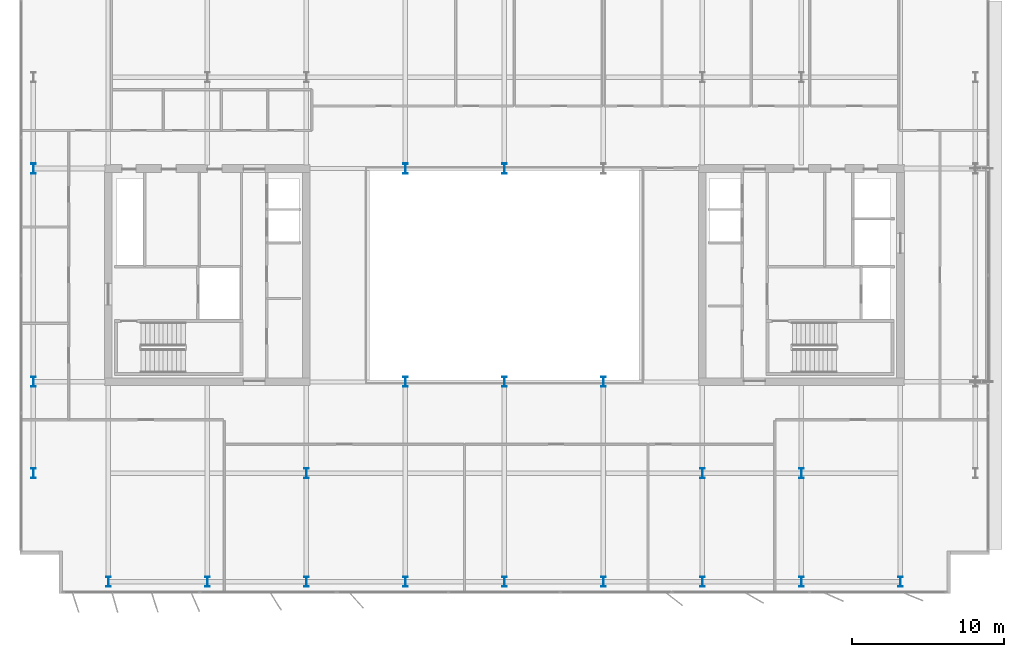
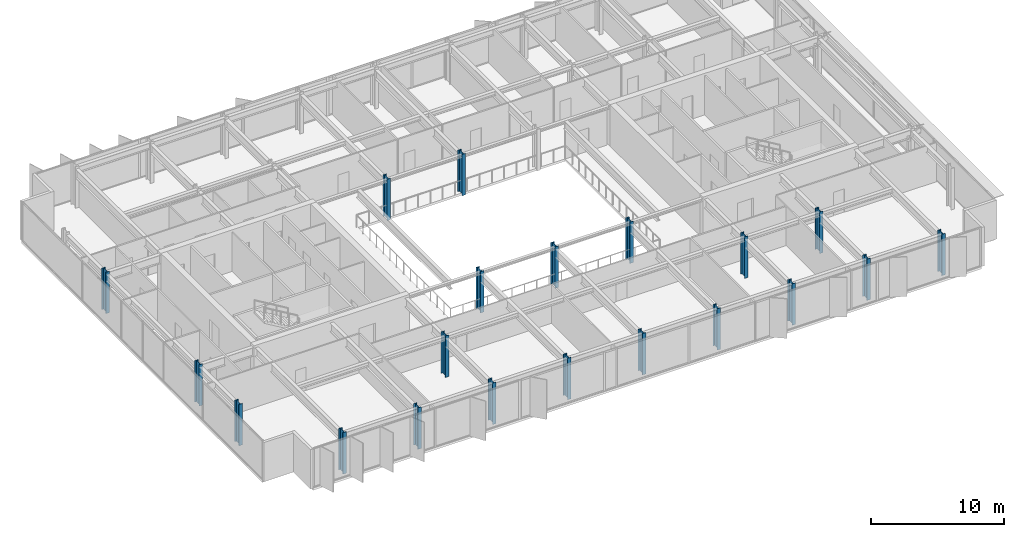
# One storey, part 1 of 19: 20 columns.
"""IFC4 building model written with IfcOpenShell, lengths in metres."""

import ifcopenshell
import ifcopenshell.guid

model = None  # the IFC model being written
_history = None  # IfcOwnerHistory: only IFC2X3 demands one
_inside = {}  # id of a spatial element -> (the spatial element, [elements in it])
_under = {}  # id of a project, library or spatial element -> (it, [spatial elements below it])
_declared = {}  # id of a project -> (the project, [libraries it declares])
_typed = {}  # id of a type object -> (the type object, [elements of that type])
_made_of = {}  # id of a material, layer set ... -> (it, [elements and type objects made of it])


def new_model(schema):
    """Start an empty IFC model of exactly this schema.

    Asked for "IFC4X3", IfcOpenShell would pick the latest addendum, in which some entities
    have other attributes; the version numbers below select the first issue.
    IFC2X3 requires an IfcOwnerHistory on every rooted entity: one is made here for all.
    """
    global model, _history
    if schema == "IFC4X3":
        model = ifcopenshell.file(schema_version=(4, 3, 0, 0))
    else:
        model = ifcopenshell.file(schema=schema)
    _inside.clear()
    _under.clear()
    _declared.clear()
    _typed.clear()
    _made_of.clear()
    _history = None
    if model.schema == "IFC2X3":
        org = make("IfcOrganization", Name="unknown")
        user = make(
            "IfcPersonAndOrganization",
            ThePerson=make("IfcPerson", FamilyName="unknown"),
            TheOrganization=org,
        )
        app = make(
            "IfcApplication",
            ApplicationDeveloper=org,
            Version="unknown",
            ApplicationFullName="unknown",
            ApplicationIdentifier="unknown",
        )
        _history = make(
            "IfcOwnerHistory",
            OwningUser=user,
            OwningApplication=app,
            ChangeAction="ADDED",
            CreationDate=0,
        )
    return model


def make(cls, **values):
    """One entity of the class cls with the attributes given. An attribute that is None is left unset."""
    return model.create_entity(
        cls, **{name: value for name, value in values.items() if value is not None}
    )


def rooted(cls, **values):
    """An entity with a GlobalId (a new one), such as an element, a storey or a relation."""
    return make(cls, GlobalId=ifcopenshell.guid.new(), OwnerHistory=_history, **values)


def si_unit(unit_type, name, prefix=None):
    """IfcSIUnit, for example si_unit("LENGTHUNIT", "METRE", prefix="MILLI")."""
    return make("IfcSIUnit", UnitType=unit_type, Prefix=prefix, Name=name)


def assignment(units):
    """IfcUnitAssignment: the units of a project."""
    return None if units is None else make("IfcUnitAssignment", Units=units)


def point(xyz):
    """IfcCartesianPoint."""
    return None if xyz is None else make("IfcCartesianPoint", Coordinates=xyz)


def direction(xyz):
    """IfcDirection."""
    return None if xyz is None else make("IfcDirection", DirectionRatios=xyz)


def frame(location, z_axis=None, x_axis=None):
    """IfcAxis2Placement3D, a coordinate frame: its origin and axes. An axis left out is left unset."""
    return make(
        "IfcAxis2Placement3D",
        Location=point(location),
        Axis=direction(z_axis),
        RefDirection=direction(x_axis),
    )


def frame_2d(location, x_axis=None):
    """IfcAxis2Placement2D, a coordinate frame in the plane: its origin and x axis."""
    return make(
        "IfcAxis2Placement2D", Location=point(location), RefDirection=direction(x_axis)
    )


def origin():
    """The frame at (0, 0, 0) with its axes left unset."""
    return frame((0.0, 0.0, 0.0))


def origin_2d():
    """The frame at (0, 0) in the plane with its x axis left unset."""
    return frame_2d((0.0, 0.0))


def place(relative_to, where):
    """IfcLocalPlacement: puts the frame where relative to a parent placement (None: the world)."""
    return make(
        "IfcLocalPlacement", PlacementRelTo=relative_to, RelativePlacement=where
    )


def context(
    kind, dimensions, precision=None, world=None, true_north=None, identifier=None
):
    """IfcGeometricRepresentationContext, for example the 3D "Model" context."""
    return make(
        "IfcGeometricRepresentationContext",
        ContextIdentifier=identifier,
        ContextType=kind,
        CoordinateSpaceDimension=dimensions,
        Precision=precision,
        WorldCoordinateSystem=world,
        TrueNorth=true_north,
    )


def subcontext(parent, identifier, kind, view, scale=None):
    """IfcGeometricRepresentationSubContext, for example "Body" below "Model"."""
    return make(
        "IfcGeometricRepresentationSubContext",
        ContextIdentifier=identifier,
        ContextType=kind,
        ParentContext=parent,
        TargetScale=scale,
        TargetView=view,
    )


def project(units=None, contexts=None):
    """IfcProject with its units and contexts."""
    return rooted(
        "IfcProject",
        Name="project",
        RepresentationContexts=contexts,
        UnitsInContext=assignment(units),
    )


def spatial(cls, under=None, at=None, **own):
    """A site, building, storey or space (cls), placed at a placement, below another one or the project."""
    s = rooted(cls, ObjectPlacement=at, **own)
    if under is not None:
        _under.setdefault(under.id(), (under, []))[1].append(s)
    return s


def profile(cls, at=None, kind="AREA", **sizes):
    """A parametric profile (cls). Its sizes go by their IFC names, for example OverallWidth=200.0."""
    return make(cls, ProfileType=kind, Position=at, **sizes)


def i_section(**sizes):
    """IfcIShapeProfileDef."""
    return profile("IfcIShapeProfileDef", **sizes)


def extrude(swept, where, along, depth):
    """IfcExtrudedAreaSolid: the profile swept, set in the frame where, extruded along a direction by depth."""
    return make(
        "IfcExtrudedAreaSolid",
        SweptArea=swept,
        Position=where,
        ExtrudedDirection=direction(along),
        Depth=depth,
    )


def shape(context_of_items, identifier, shape_type, items):
    """IfcShapeRepresentation: the items that make up one representation, for example the "Body"."""
    return make(
        "IfcShapeRepresentation",
        ContextOfItems=context_of_items,
        RepresentationIdentifier=identifier,
        RepresentationType=shape_type,
        Items=items,
    )


def material(Name=None, Category=None):
    """IfcMaterial."""
    return make("IfcMaterial", Name=Name, Category=Category)


def material_profile(
    of_material, cross_section, Name=None, Category=None, Priority=None
):
    """IfcMaterialProfile: a cross section and its material."""
    return make(
        "IfcMaterialProfile",
        Name=Name,
        Material=of_material,
        Profile=cross_section,
        Priority=Priority,
        Category=Category,
    )


def profile_set(profiles, Name=None, composite=None):
    """IfcMaterialProfileSet."""
    return make(
        "IfcMaterialProfileSet",
        Name=Name,
        MaterialProfiles=profiles,
        CompositeProfile=composite,
    )


def made_of(thing, what):
    """Note that an element or type object is made of a material, layer set ...; save() writes the relation."""
    if what is not None:
        _made_of.setdefault(what.id(), (what, []))[1].append(thing)
    return thing


def type_object(cls, material=None, **own):
    """A type object (cls), such as IfcWallType, which elements share."""
    return made_of(rooted(cls, **own), material)


def element(
    cls,
    number,
    at=None,
    inside=None,
    cuts=None,
    type_object=None,
    material=None,
    context=None,
    identifier="Body",
    shape_type=None,
    held_by="IfcProductDefinitionShape",
    body=None,
    shapes=None,
    **own,
):
    """One element of the class cls, such as IfcWall. Its Tag is "e" and its number.

    at: its placement. inside: the storey or other place that contains it. cuts: it is an
    opening in that element (IfcRelVoidsElement). A single representation is given by context,
    identifier, shape_type and body (its items); several are given by shapes. held_by: the class
    of the entity that holds the representations. save() writes the other relations.
    """
    e = rooted(cls, Tag="e%d" % number, ObjectPlacement=at, **own)
    if body is not None:
        shapes = [shape(context, identifier, shape_type, body)]
    if shapes is not None:
        e.Representation = make(held_by, Representations=shapes)
    if inside is not None:
        _inside.setdefault(inside.id(), (inside, []))[1].append(e)
    if cuts is not None:
        rooted(
            "IfcRelVoidsElement", RelatingBuildingElement=cuts, RelatedOpeningElement=e
        )
    if type_object is not None:
        _typed.setdefault(type_object.id(), (type_object, []))[1].append(e)
    return made_of(e, material)


def aggregate(whole, parts):
    """IfcRelAggregates: a whole, such as a stair, and the parts it consists of."""
    return rooted("IfcRelAggregates", RelatingObject=whole, RelatedObjects=parts)


def save(model, path):
    """Write the relations noted so far, then the file.

    IfcRelAggregates (storeys below a building ...), IfcRelContainedInSpatialStructure (elements
    in a storey), IfcRelDefinesByType, IfcRelAssociatesMaterial and IfcRelDeclares: one each for
    every whole, place, type object, material and project.
    """
    for whole, parts in _under.values():
        aggregate(whole, parts)
    for where, things in _inside.values():
        rooted(
            "IfcRelContainedInSpatialStructure",
            RelatedElements=things,
            RelatingStructure=where,
        )
    for kind, things in _typed.values():
        rooted("IfcRelDefinesByType", RelatedObjects=things, RelatingType=kind)
    for what, things in _made_of.values():
        rooted("IfcRelAssociatesMaterial", RelatedObjects=things, RelatingMaterial=what)
    for by, libraries in _declared.values():
        rooted("IfcRelDeclares", RelatingContext=by, RelatedDefinitions=libraries)
    model.write(path)


model = new_model("IFC4")

# Units and contexts
model_context = context("Model", 3, precision=1e-05, world=origin(), true_north=direction((0.0, 1.0)))
body_context = subcontext(model_context, "Body", "Model", "MODEL_VIEW")
ifc_project = project(units=[si_unit("LENGTHUNIT", "METRE"), si_unit("AREAUNIT", "SQUARE_METRE"), si_unit("VOLUMEUNIT", "CUBIC_METRE"), si_unit("PLANEANGLEUNIT", "RADIAN"), si_unit("MASSUNIT", "GRAM", prefix="KILO")], contexts=[model_context])

# Site, building, storey
site_placement = place(None, origin())
site = spatial("IfcSite", under=ifc_project, at=site_placement, CompositionType="ELEMENT")
building_placement = place(site_placement, origin())
building = spatial("IfcBuilding", under=site, at=building_placement, Name="Putna Gate Headquarters", CompositionType="ELEMENT")
storey_placement = place(building_placement, frame((0.0, 0.0, 259.39990234375)))
storey = spatial("IfcBuildingStorey", under=building, at=storey_placement, Name="L65", CompositionType="ELEMENT", Elevation=259.39990234375)

# Columns
ifc_material = material(Name="Steel S460M", Category="steel")
ifc_material_profile_1 = material_profile(ifc_material, i_section(OverallWidth=0.304931640625, OverallDepth=0.66796875, WebThickness=0.02099609375, FlangeThickness=0.0400390625, at=origin_2d()), Name="Steel S460M")
ifc_profile_set_1 = profile_set([ifc_material_profile_1], Name="Steel S460M")
column_type_1 = type_object("IfcColumnType", Name="COL-STL-HEM650-EXT", PredefinedType="COLUMN", material=ifc_profile_set_1)
for number, where, z_axis, x_axis, name in (
    (1, (13.0, 5.8798828125, 0.0), (0.0, 0.0, 1.0), (1.0, 0.0, 0.0), "L65 Column CP-S13"),
    (2, (19.5, 5.8798828125, 0.0), (0.0, 0.0, 1.0), (1.0, 0.0, 0.0), "L65 Column CP-S19"),
    (3, (26.0, 5.8798828125, 0.0), (0.0, 0.0, 1.0), (1.0, 0.0, 0.0), "L65 Column CP-S26"),
    (4, (32.5, 5.8798828125, 0.0), (0.0, 0.0, 1.0), (1.0, 0.0, 0.0), "L65 Column CP-S32"),
    (5, (39.0, 5.8798828125, 0.0), (0.0, 0.0, 1.0), (1.0, 0.0, 0.0), "L65 Column CP-S39"),
    (6, (45.5, 5.8798828125, 0.0), (0.0, 0.0, 1.0), (1.0, 0.0, 0.0), "L65 Column CP-S45"),
    (7, (52.0, 5.8798828125, 0.0), (0.0, 0.0, 1.0), (1.0, 0.0, 0.0), "L65 Column CP-S52"),
    (8, (58.5, 5.8798828125, 0.0), (0.0, 0.0, 1.0), (1.0, 0.0, 0.0), "L65 Column CP-S58"),
    (9, (65.0, 5.8798828125, 0.0), (0.0, 0.0, 1.0), (1.0, 0.0, 0.0), "L65 Column CP-S65"),
    (10, (8.080078125, 13.0, 0.0), (0.0, 0.0, 1.0), (1.0, 0.0, 0.0), "L65 Column CP-W13"),
    (11, (8.080078125, 19.0, 0.0), (0.0, 0.0, 1.0), (1.0, 0.0, 0.0), "L65 Column CP-W19"),
    (12, (8.080078125, 33.0, 0.0), (0.0, 0.0, 1.0), (1.0, 0.0, 0.0), "L65 Column CP-W33"),
):
    element("IfcColumn", number, at=place(storey_placement, frame(where, z_axis=z_axis, x_axis=x_axis)), inside=storey, type_object=column_type_1, Name=name, PredefinedType="COLUMN", context=body_context, shape_type="SweptSolid", body=[
        extrude(i_section(OverallWidth=0.304931640625, OverallDepth=0.66796875, WebThickness=0.02099609375, FlangeThickness=0.0400390625, at=origin_2d()), origin(), (0.0, 0.0, 1.0), 3.800048828125),
    ])
ifc_material_profile_2 = material_profile(ifc_material, i_section(OverallWidth=0.304931640625, OverallDepth=0.66796875, WebThickness=0.02099609375, FlangeThickness=0.0400390625, at=origin_2d()), Name="Steel S460M")
ifc_profile_set_2 = profile_set([ifc_material_profile_2], Name="Steel S460M")
column_type_2 = type_object("IfcColumnType", Name="COL-STL-HEM650-INT", PredefinedType="COLUMN", material=ifc_profile_set_2)
for number, where, z_axis, x_axis, name in (
    (13, (58.5, 13.0, 0.0), (0.0, 0.0, 1.0), (1.0, 0.0, 0.0), "L65 Column CSI-ES"),
    (14, (32.5, 19.0, 0.0), (0.0, 0.0, 1.0), (1.0, 0.0, 0.0), "L65 Column CAI-S32"),
    (15, (32.5, 33.0, 0.0), (0.0, 0.0, 1.0), (1.0, 0.0, 0.0), "L65 Column CAI-N32"),
    (16, (39.0, 19.0, 0.0), (0.0, 0.0, 1.0), (1.0, 0.0, 0.0), "L65 Column CAI-S39"),
    (17, (39.0, 33.0, 0.0), (0.0, 0.0, 1.0), (1.0, 0.0, 0.0), "L65 Column CAI-N39"),
    (18, (45.5, 19.0, 0.0), (0.0, 0.0, 1.0), (1.0, 0.0, 0.0), "L65 Column CAI-S45"),
    (19, (26.0, 13.0, 0.0), (0.0, 0.0, 1.0), (1.0, 0.0, 0.0), "L65 Column CAP-WS"),
    (20, (52.0, 13.0, 0.0), (0.0, 0.0, 1.0), (1.0, 0.0, 0.0), "L65 Column CAP-ES"),
):
    element("IfcColumn", number, at=place(storey_placement, frame(where, z_axis=z_axis, x_axis=x_axis)), inside=storey, type_object=column_type_2, Name=name, PredefinedType="COLUMN", context=body_context, shape_type="SweptSolid", body=[
        extrude(i_section(OverallWidth=0.304931640625, OverallDepth=0.66796875, WebThickness=0.02099609375, FlangeThickness=0.0400390625, at=origin_2d()), origin(), (0.0, 0.0, 1.0), 3.800048828125),
    ])

save(model, "model.ifc")
